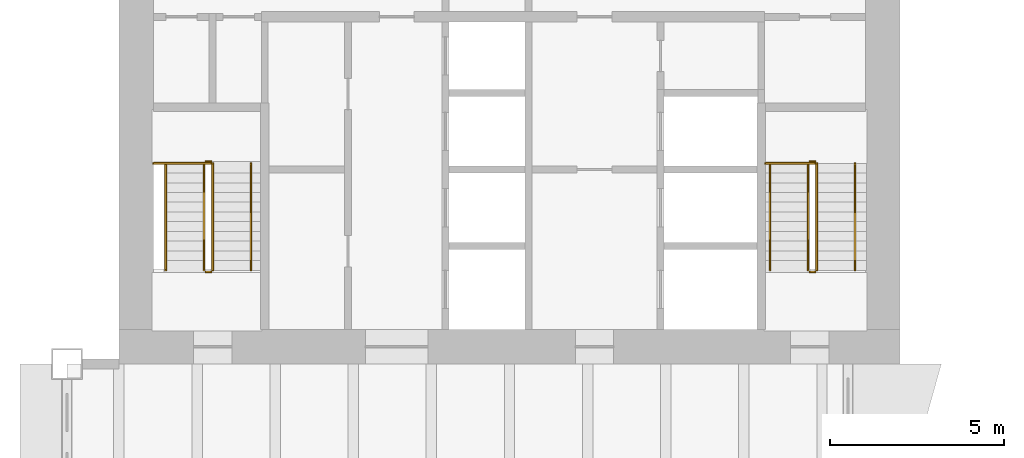
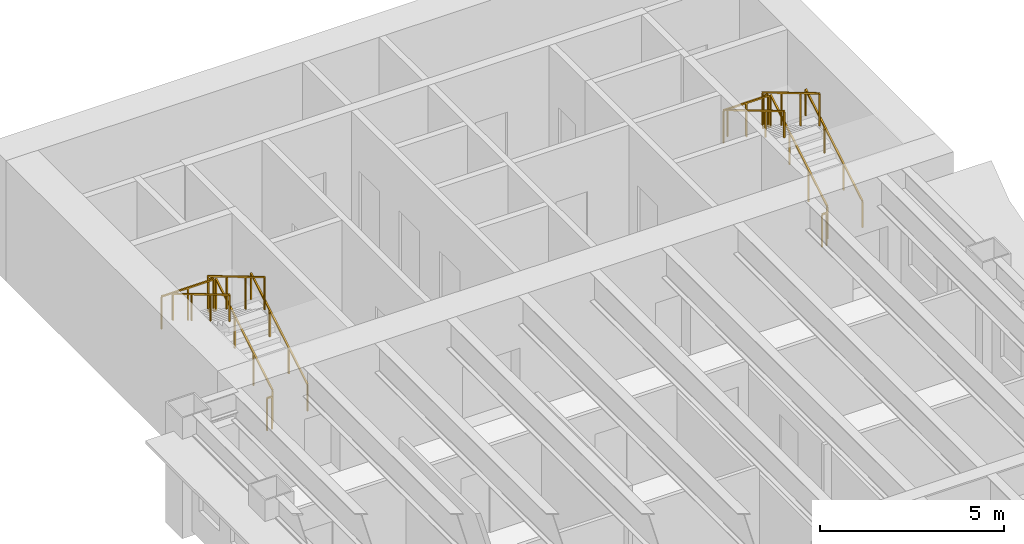
# One storey, part 17 of 17: 14 railings.
"""IFC4 building model written with IfcOpenShell, lengths in metres."""

from ifc_helpers import new_model, si_unit, direction, frame, origin, origin_2d, place, context, subcontext, project, spatial, rectangle, extrude, material, type_object, element, save


model = new_model("IFC4")

# Units and contexts
model_context = context("Model", 3, precision=1e-05, world=origin(), true_north=direction((0.0, 1.0)))
body_context = subcontext(model_context, "Body", "Model", "MODEL_VIEW")
ifc_project = project(units=[si_unit("LENGTHUNIT", "METRE"), si_unit("AREAUNIT", "SQUARE_METRE"), si_unit("VOLUMEUNIT", "CUBIC_METRE"), si_unit("PLANEANGLEUNIT", "RADIAN"), si_unit("MASSUNIT", "GRAM", prefix="KILO")], contexts=[model_context])

# Site, building, storey
site_placement = place(None, origin())
site = spatial("IfcSite", under=ifc_project, at=site_placement, CompositionType="ELEMENT")
building_placement = place(site_placement, origin())
building = spatial("IfcBuilding", under=site, at=building_placement, Name="Sennacour Bend Tower", CompositionType="ELEMENT")
storey_placement = place(building_placement, frame((0.0, 0.0, 151.0)))
storey = spatial("IfcBuildingStorey", under=building, at=storey_placement, Name="L34", CompositionType="ELEMENT", Elevation=151.0)

# Railings
ifc_material = material(Name="Stainless steel", Category="steel")
railing_type_1 = type_object("IfcRailingType", Name="RL-GUARD-1100", PredefinedType="GUARDRAIL", material=ifc_material)
railing_1_placement = place(storey_placement, frame((2.699951171875, 38.699951171875, 0.166748046875)))
element("IfcRailing", 1, at=railing_1_placement, inside=storey, type_object=railing_type_1, Name="L34 SB1 stair guard 1", PredefinedType="GUARDRAIL", context=body_context, shape_type="SweptSolid", body=[
    extrude(rectangle(XDim=0.048095703125, YDim=0.048095703125, at=origin_2d()), frame((0.0, 0.0, 1.076171875), z_axis=(0.0, 0.859308565015, 0.511457515432), x_axis=(-1.0, 0.0, 0.0)), (0.0, 0.0, 1.0), 3.58447265625),
    extrude(rectangle(XDim=0.0419921875, YDim=0.0419921875, at=origin_2d()), origin(), (0.0, 0.0, 1.0), 1.052001953125),
    extrude(rectangle(XDim=0.0419921875, YDim=0.0419921875, at=origin_2d()), frame((0.0, 1.026611328125, 0.611083984375)), (0.0, 0.0, 1.0), 1.052001953125),
    extrude(rectangle(XDim=0.0419921875, YDim=0.0419921875, at=origin_2d()), frame((0.0, 2.053466796875, 1.22216796875)), (0.0, 0.0, 1.0), 1.052001953125),
    extrude(rectangle(XDim=0.0419921875, YDim=0.0419921875, at=origin_2d()), frame((0.0, 3.080078125, 1.833251953125)), (0.0, 0.0, 1.0), 1.052001953125),
])
railing_2_placement = place(storey_placement, frame((2.64990234375, 41.830078125, 2.0)))
element("IfcRailing", 2, at=railing_2_placement, inside=storey, type_object=railing_type_1, Name="L34 SB1 stair guard 2", PredefinedType="GUARDRAIL", context=body_context, shape_type="SweptSolid", body=[
    extrude(rectangle(XDim=0.048095703125, YDim=0.048095703125, at=origin_2d()), frame((0.0, 0.0, 1.076171875), z_axis=(-1.0, 0.0, 0.0), x_axis=(0.0, -1.0, 0.0)), (0.0, 0.0, 1.0), 0.14990234375),
    extrude(rectangle(XDim=0.0419921875, YDim=0.0419921875, at=origin_2d()), origin(), (0.0, 0.0, 1.0), 1.052001953125),
    extrude(rectangle(XDim=0.0419921875, YDim=0.0419921875, at=origin_2d()), frame((-0.14990234375, 0.0, 0.0)), (0.0, 0.0, 1.0), 1.052001953125),
])
railing_3_placement = place(storey_placement, frame((2.449951171875, 41.780029296875, 2.166748046875)))
element("IfcRailing", 3, at=railing_3_placement, inside=storey, type_object=railing_type_1, Name="L34 SB1 stair guard 4", PredefinedType="GUARDRAIL", context=body_context, shape_type="SweptSolid", body=[
    extrude(rectangle(XDim=0.048095703125, YDim=0.048095703125, at=origin_2d()), frame((0.0, 0.0, 1.076171875), z_axis=(0.0, -0.859308565015, 0.511457515432), x_axis=(1.0, 0.0, 0.0)), (0.0, 0.0, 1.0), 3.58447265625),
    extrude(rectangle(XDim=0.0419921875, YDim=0.0419921875, at=origin_2d()), origin(), (0.0, 0.0, 1.0), 1.052001953125),
    extrude(rectangle(XDim=0.0419921875, YDim=0.0419921875, at=origin_2d()), frame((0.0, -1.026611328125, 0.611083984375)), (0.0, 0.0, 1.0), 1.052001953125),
    extrude(rectangle(XDim=0.0419921875, YDim=0.0419921875, at=origin_2d()), frame((0.0, -2.053466796875, 1.22216796875)), (0.0, 0.0, 1.0), 1.052001953125),
    extrude(rectangle(XDim=0.0419921875, YDim=0.0419921875, at=origin_2d()), frame((0.0, -3.080078125, 1.833251953125)), (0.0, 0.0, 1.0), 1.052001953125),
])
railing_4_placement = place(storey_placement, frame((2.64990234375, 38.64990234375, 0.0)))
element("IfcRailing", 4, at=railing_4_placement, inside=storey, type_object=railing_type_1, Name="L34 SB1 stair guard 5", PredefinedType="GUARDRAIL", context=body_context, shape_type="SweptSolid", body=[
    extrude(rectangle(XDim=0.048095703125, YDim=0.048095703125, at=origin_2d()), frame((0.0, 0.0, 1.076171875), z_axis=(-1.0, 0.0, 0.0), x_axis=(0.0, -1.0, 0.0)), (0.0, 0.0, 1.0), 0.14990234375),
    extrude(rectangle(XDim=0.0419921875, YDim=0.0419921875, at=origin_2d()), origin(), (0.0, 0.0, 1.0), 1.052001953125),
    extrude(rectangle(XDim=0.0419921875, YDim=0.0419921875, at=origin_2d()), frame((-0.14990234375, 0.0, 0.0)), (0.0, 0.0, 1.0), 1.052001953125),
])
railing_5_placement = place(storey_placement, frame((2.64990234375, 41.780029296875, 2.0)))
element("IfcRailing", 5, at=railing_5_placement, inside=storey, type_object=railing_type_1, Name="L34 SB1 landing edge guard 59", PredefinedType="GUARDRAIL", context=body_context, shape_type="SweptSolid", body=[
    extrude(rectangle(XDim=0.048095703125, YDim=0.048095703125, at=origin_2d()), frame((0.0, 0.0, 1.076171875), z_axis=(-1.0, 0.0, 0.0), x_axis=(0.0, -1.0, 0.0)), (0.0, 0.0, 1.0), 1.64990234375),
    extrude(rectangle(XDim=0.0419921875, YDim=0.0419921875, at=origin_2d()), origin(), (0.0, 0.0, 1.0), 1.052001953125),
    extrude(rectangle(XDim=0.0419921875, YDim=0.0419921875, at=origin_2d()), frame((-0.824951171875, 0.0, 0.0)), (0.0, 0.0, 1.0), 1.052001953125),
    extrude(rectangle(XDim=0.0419921875, YDim=0.0419921875, at=origin_2d()), frame((-1.64990234375, 0.0, 0.0)), (0.0, 0.0, 1.0), 1.052001953125),
])
railing_6_placement = place(storey_placement, frame((20.10009765625, 38.699951171875, 0.166748046875)))
element("IfcRailing", 6, at=railing_6_placement, inside=storey, type_object=railing_type_1, Name="L34 SB2 stair guard 1", PredefinedType="GUARDRAIL", context=body_context, shape_type="SweptSolid", body=[
    extrude(rectangle(XDim=0.048095703125, YDim=0.048095703125, at=origin_2d()), frame((0.0, 0.0, 1.076171875), z_axis=(0.0, 0.859308565015, 0.511457515432), x_axis=(-1.0, 0.0, 0.0)), (0.0, 0.0, 1.0), 3.58447265625),
    extrude(rectangle(XDim=0.0419921875, YDim=0.0419921875, at=origin_2d()), origin(), (0.0, 0.0, 1.0), 1.052001953125),
    extrude(rectangle(XDim=0.0419921875, YDim=0.0419921875, at=origin_2d()), frame((0.0, 1.026611328125, 0.611083984375)), (0.0, 0.0, 1.0), 1.052001953125),
    extrude(rectangle(XDim=0.0419921875, YDim=0.0419921875, at=origin_2d()), frame((0.0, 2.053466796875, 1.22216796875)), (0.0, 0.0, 1.0), 1.052001953125),
    extrude(rectangle(XDim=0.0419921875, YDim=0.0419921875, at=origin_2d()), frame((0.0, 3.080078125, 1.833251953125)), (0.0, 0.0, 1.0), 1.052001953125),
])
railing_7_placement = place(storey_placement, frame((20.050048828125, 41.830078125, 2.0)))
element("IfcRailing", 7, at=railing_7_placement, inside=storey, type_object=railing_type_1, Name="L34 SB2 stair guard 2", PredefinedType="GUARDRAIL", context=body_context, shape_type="SweptSolid", body=[
    extrude(rectangle(XDim=0.048095703125, YDim=0.048095703125, at=origin_2d()), frame((0.0, 0.0, 1.076171875), z_axis=(-1.0, 0.0, 0.0), x_axis=(0.0, -1.0, 0.0)), (0.0, 0.0, 1.0), 0.150146484375),
    extrude(rectangle(XDim=0.0419921875, YDim=0.0419921875, at=origin_2d()), origin(), (0.0, 0.0, 1.0), 1.052001953125),
    extrude(rectangle(XDim=0.0419921875, YDim=0.0419921875, at=origin_2d()), frame((-0.150146484375, 0.0, 0.0)), (0.0, 0.0, 1.0), 1.052001953125),
])
railing_8_placement = place(storey_placement, frame((19.85009765625, 41.780029296875, 2.166748046875)))
element("IfcRailing", 8, at=railing_8_placement, inside=storey, type_object=railing_type_1, Name="L34 SB2 stair guard 4", PredefinedType="GUARDRAIL", context=body_context, shape_type="SweptSolid", body=[
    extrude(rectangle(XDim=0.048095703125, YDim=0.048095703125, at=origin_2d()), frame((0.0, 0.0, 1.076171875), z_axis=(0.0, -0.859308565015, 0.511457515432), x_axis=(1.0, 0.0, 0.0)), (0.0, 0.0, 1.0), 3.58447265625),
    extrude(rectangle(XDim=0.0419921875, YDim=0.0419921875, at=origin_2d()), origin(), (0.0, 0.0, 1.0), 1.052001953125),
    extrude(rectangle(XDim=0.0419921875, YDim=0.0419921875, at=origin_2d()), frame((0.0, -1.026611328125, 0.611083984375)), (0.0, 0.0, 1.0), 1.052001953125),
    extrude(rectangle(XDim=0.0419921875, YDim=0.0419921875, at=origin_2d()), frame((0.0, -2.053466796875, 1.22216796875)), (0.0, 0.0, 1.0), 1.052001953125),
    extrude(rectangle(XDim=0.0419921875, YDim=0.0419921875, at=origin_2d()), frame((0.0, -3.080078125, 1.833251953125)), (0.0, 0.0, 1.0), 1.052001953125),
])
railing_9_placement = place(storey_placement, frame((20.050048828125, 38.64990234375, 0.0)))
element("IfcRailing", 9, at=railing_9_placement, inside=storey, type_object=railing_type_1, Name="L34 SB2 stair guard 5", PredefinedType="GUARDRAIL", context=body_context, shape_type="SweptSolid", body=[
    extrude(rectangle(XDim=0.048095703125, YDim=0.048095703125, at=origin_2d()), frame((0.0, 0.0, 1.076171875), z_axis=(-1.0, 0.0, 0.0), x_axis=(0.0, -1.0, 0.0)), (0.0, 0.0, 1.0), 0.150146484375),
    extrude(rectangle(XDim=0.0419921875, YDim=0.0419921875, at=origin_2d()), origin(), (0.0, 0.0, 1.0), 1.052001953125),
    extrude(rectangle(XDim=0.0419921875, YDim=0.0419921875, at=origin_2d()), frame((-0.150146484375, 0.0, 0.0)), (0.0, 0.0, 1.0), 1.052001953125),
])
railing_10_placement = place(storey_placement, frame((20.050048828125, 41.780029296875, 2.0)))
element("IfcRailing", 10, at=railing_10_placement, inside=storey, type_object=railing_type_1, Name="L34 SB2 landing edge guard 49", PredefinedType="GUARDRAIL", context=body_context, shape_type="SweptSolid", body=[
    extrude(rectangle(XDim=0.048095703125, YDim=0.048095703125, at=origin_2d()), frame((0.0, 0.0, 1.076171875), z_axis=(-1.0, 0.0, 0.0), x_axis=(0.0, -1.0, 0.0)), (0.0, 0.0, 1.0), 1.425048828125),
    extrude(rectangle(XDim=0.0419921875, YDim=0.0419921875, at=origin_2d()), origin(), (0.0, 0.0, 1.0), 1.052001953125),
    extrude(rectangle(XDim=0.0419921875, YDim=0.0419921875, at=origin_2d()), frame((-0.71240234375, 0.0, 0.0)), (0.0, 0.0, 1.0), 1.052001953125),
    extrude(rectangle(XDim=0.0419921875, YDim=0.0419921875, at=origin_2d()), frame((-1.425048828125, 0.0, 0.0)), (0.0, 0.0, 1.0), 1.052001953125),
])
railing_type_2 = type_object("IfcRailingType", Name="RL-HANDRAIL-900", PredefinedType="HANDRAIL", material=ifc_material)
railing_11_placement = place(storey_placement, frame((3.800048828125, 38.699951171875, 0.166748046875)))
element("IfcRailing", 11, at=railing_11_placement, inside=storey, type_object=railing_type_2, Name="L34 SB1 stair handrail 1", PredefinedType="HANDRAIL", context=body_context, shape_type="SweptSolid", body=[
    extrude(rectangle(XDim=0.048095703125, YDim=0.048095703125, at=origin_2d()), frame((0.0, 0.0, 0.8759765625), z_axis=(0.0, 0.859308565015, 0.511457515432), x_axis=(-1.0, 0.0, 0.0)), (0.0, 0.0, 1.0), 3.58447265625),
    extrude(rectangle(XDim=0.0419921875, YDim=0.0419921875, at=origin_2d()), origin(), (0.0, 0.0, 1.0), 0.851806640625),
    extrude(rectangle(XDim=0.0419921875, YDim=0.0419921875, at=origin_2d()), frame((0.0, 1.026611328125, 0.611083984375)), (0.0, 0.0, 1.0), 0.851806640625),
    extrude(rectangle(XDim=0.0419921875, YDim=0.0419921875, at=origin_2d()), frame((0.0, 2.053466796875, 1.22216796875)), (0.0, 0.0, 1.0), 0.851806640625),
    extrude(rectangle(XDim=0.0419921875, YDim=0.0419921875, at=origin_2d()), frame((0.0, 3.080078125, 1.833251953125)), (0.0, 0.0, 1.0), 0.851806640625),
])
railing_12_placement = place(storey_placement, frame((1.35009765625, 41.780029296875, 2.166748046875)))
element("IfcRailing", 12, at=railing_12_placement, inside=storey, type_object=railing_type_2, Name="L34 SB1 stair handrail 2", PredefinedType="HANDRAIL", context=body_context, shape_type="SweptSolid", body=[
    extrude(rectangle(XDim=0.048095703125, YDim=0.048095703125, at=origin_2d()), frame((0.0, 0.0, 0.8759765625), z_axis=(0.0, -0.859308565015, 0.511457515432), x_axis=(1.0, 0.0, 0.0)), (0.0, 0.0, 1.0), 3.58447265625),
    extrude(rectangle(XDim=0.0419921875, YDim=0.0419921875, at=origin_2d()), origin(), (0.0, 0.0, 1.0), 0.851806640625),
    extrude(rectangle(XDim=0.0419921875, YDim=0.0419921875, at=origin_2d()), frame((0.0, -1.026611328125, 0.611083984375)), (0.0, 0.0, 1.0), 0.851806640625),
    extrude(rectangle(XDim=0.0419921875, YDim=0.0419921875, at=origin_2d()), frame((0.0, -2.053466796875, 1.22216796875)), (0.0, 0.0, 1.0), 0.851806640625),
    extrude(rectangle(XDim=0.0419921875, YDim=0.0419921875, at=origin_2d()), frame((0.0, -3.080078125, 1.833251953125)), (0.0, 0.0, 1.0), 0.851806640625),
])
railing_13_placement = place(storey_placement, frame((21.199951171875, 38.699951171875, 0.166748046875)))
element("IfcRailing", 13, at=railing_13_placement, inside=storey, type_object=railing_type_2, Name="L34 SB2 stair handrail 1", PredefinedType="HANDRAIL", context=body_context, shape_type="SweptSolid", body=[
    extrude(rectangle(XDim=0.048095703125, YDim=0.048095703125, at=origin_2d()), frame((0.0, 0.0, 0.8759765625), z_axis=(0.0, 0.859308565015, 0.511457515432), x_axis=(-1.0, 0.0, 0.0)), (0.0, 0.0, 1.0), 3.58447265625),
    extrude(rectangle(XDim=0.0419921875, YDim=0.0419921875, at=origin_2d()), origin(), (0.0, 0.0, 1.0), 0.851806640625),
    extrude(rectangle(XDim=0.0419921875, YDim=0.0419921875, at=origin_2d()), frame((0.0, 1.026611328125, 0.611083984375)), (0.0, 0.0, 1.0), 0.851806640625),
    extrude(rectangle(XDim=0.0419921875, YDim=0.0419921875, at=origin_2d()), frame((0.0, 2.053466796875, 1.22216796875)), (0.0, 0.0, 1.0), 0.851806640625),
    extrude(rectangle(XDim=0.0419921875, YDim=0.0419921875, at=origin_2d()), frame((0.0, 3.080078125, 1.833251953125)), (0.0, 0.0, 1.0), 0.851806640625),
])
railing_14_placement = place(storey_placement, frame((18.75, 41.780029296875, 2.166748046875)))
element("IfcRailing", 14, at=railing_14_placement, inside=storey, type_object=railing_type_2, Name="L34 SB2 stair handrail 2", PredefinedType="HANDRAIL", context=body_context, shape_type="SweptSolid", body=[
    extrude(rectangle(XDim=0.048095703125, YDim=0.048095703125, at=origin_2d()), frame((0.0, 0.0, 0.8759765625), z_axis=(0.0, -0.859308565015, 0.511457515432), x_axis=(1.0, 0.0, 0.0)), (0.0, 0.0, 1.0), 3.58447265625),
    extrude(rectangle(XDim=0.0419921875, YDim=0.0419921875, at=origin_2d()), origin(), (0.0, 0.0, 1.0), 0.851806640625),
    extrude(rectangle(XDim=0.0419921875, YDim=0.0419921875, at=origin_2d()), frame((0.0, -1.026611328125, 0.611083984375)), (0.0, 0.0, 1.0), 0.851806640625),
    extrude(rectangle(XDim=0.0419921875, YDim=0.0419921875, at=origin_2d()), frame((0.0, -2.053466796875, 1.22216796875)), (0.0, 0.0, 1.0), 0.851806640625),
    extrude(rectangle(XDim=0.0419921875, YDim=0.0419921875, at=origin_2d()), frame((0.0, -3.080078125, 1.833251953125)), (0.0, 0.0, 1.0), 0.851806640625),
])

save(model, "model.ifc")
